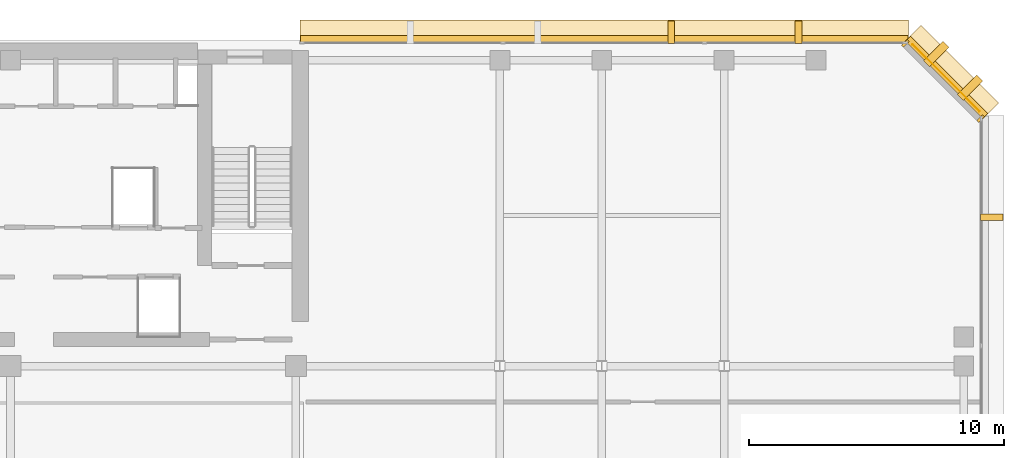
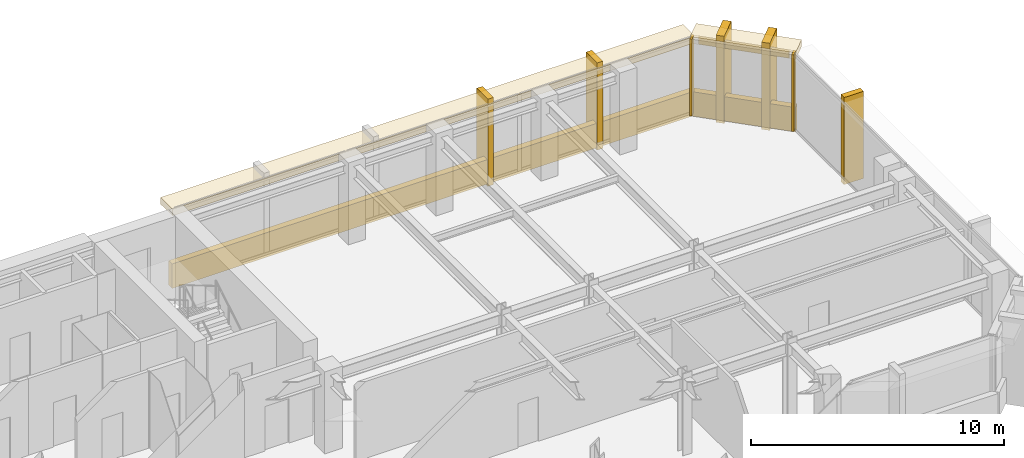
# One storey, part 12 of 12: 12 coverings.
"""IFC4 building model written with IfcOpenShell, lengths in metres."""

import ifcopenshell
import ifcopenshell.guid

model = None  # the IFC model being written
_history = None  # IfcOwnerHistory: only IFC2X3 demands one
_inside = {}  # id of a spatial element -> (the spatial element, [elements in it])
_under = {}  # id of a project, library or spatial element -> (it, [spatial elements below it])
_declared = {}  # id of a project -> (the project, [libraries it declares])
_typed = {}  # id of a type object -> (the type object, [elements of that type])
_made_of = {}  # id of a material, layer set ... -> (it, [elements and type objects made of it])


def new_model(schema):
    """Start an empty IFC model of exactly this schema.

    Asked for "IFC4X3", IfcOpenShell would pick the latest addendum, in which some entities
    have other attributes; the version numbers below select the first issue.
    IFC2X3 requires an IfcOwnerHistory on every rooted entity: one is made here for all.
    """
    global model, _history
    if schema == "IFC4X3":
        model = ifcopenshell.file(schema_version=(4, 3, 0, 0))
    else:
        model = ifcopenshell.file(schema=schema)
    _inside.clear()
    _under.clear()
    _declared.clear()
    _typed.clear()
    _made_of.clear()
    _history = None
    if model.schema == "IFC2X3":
        org = make("IfcOrganization", Name="unknown")
        user = make(
            "IfcPersonAndOrganization",
            ThePerson=make("IfcPerson", FamilyName="unknown"),
            TheOrganization=org,
        )
        app = make(
            "IfcApplication",
            ApplicationDeveloper=org,
            Version="unknown",
            ApplicationFullName="unknown",
            ApplicationIdentifier="unknown",
        )
        _history = make(
            "IfcOwnerHistory",
            OwningUser=user,
            OwningApplication=app,
            ChangeAction="ADDED",
            CreationDate=0,
        )
    return model


def make(cls, **values):
    """One entity of the class cls with the attributes given. An attribute that is None is left unset."""
    return model.create_entity(
        cls, **{name: value for name, value in values.items() if value is not None}
    )


def rooted(cls, **values):
    """An entity with a GlobalId (a new one), such as an element, a storey or a relation."""
    return make(cls, GlobalId=ifcopenshell.guid.new(), OwnerHistory=_history, **values)


def si_unit(unit_type, name, prefix=None):
    """IfcSIUnit, for example si_unit("LENGTHUNIT", "METRE", prefix="MILLI")."""
    return make("IfcSIUnit", UnitType=unit_type, Prefix=prefix, Name=name)


def assignment(units):
    """IfcUnitAssignment: the units of a project."""
    return None if units is None else make("IfcUnitAssignment", Units=units)


def point(xyz):
    """IfcCartesianPoint."""
    return None if xyz is None else make("IfcCartesianPoint", Coordinates=xyz)


def direction(xyz):
    """IfcDirection."""
    return None if xyz is None else make("IfcDirection", DirectionRatios=xyz)


def frame(location, z_axis=None, x_axis=None):
    """IfcAxis2Placement3D, a coordinate frame: its origin and axes. An axis left out is left unset."""
    return make(
        "IfcAxis2Placement3D",
        Location=point(location),
        Axis=direction(z_axis),
        RefDirection=direction(x_axis),
    )


def frame_2d(location, x_axis=None):
    """IfcAxis2Placement2D, a coordinate frame in the plane: its origin and x axis."""
    return make(
        "IfcAxis2Placement2D", Location=point(location), RefDirection=direction(x_axis)
    )


def origin():
    """The frame at (0, 0, 0) with its axes left unset."""
    return frame((0.0, 0.0, 0.0))


def origin_2d():
    """The frame at (0, 0) in the plane with its x axis left unset."""
    return frame_2d((0.0, 0.0))


def place(relative_to, where):
    """IfcLocalPlacement: puts the frame where relative to a parent placement (None: the world)."""
    return make(
        "IfcLocalPlacement", PlacementRelTo=relative_to, RelativePlacement=where
    )


def context(
    kind, dimensions, precision=None, world=None, true_north=None, identifier=None
):
    """IfcGeometricRepresentationContext, for example the 3D "Model" context."""
    return make(
        "IfcGeometricRepresentationContext",
        ContextIdentifier=identifier,
        ContextType=kind,
        CoordinateSpaceDimension=dimensions,
        Precision=precision,
        WorldCoordinateSystem=world,
        TrueNorth=true_north,
    )


def subcontext(parent, identifier, kind, view, scale=None):
    """IfcGeometricRepresentationSubContext, for example "Body" below "Model"."""
    return make(
        "IfcGeometricRepresentationSubContext",
        ContextIdentifier=identifier,
        ContextType=kind,
        ParentContext=parent,
        TargetScale=scale,
        TargetView=view,
    )


def project(units=None, contexts=None):
    """IfcProject with its units and contexts."""
    return rooted(
        "IfcProject",
        Name="project",
        RepresentationContexts=contexts,
        UnitsInContext=assignment(units),
    )


def spatial(cls, under=None, at=None, **own):
    """A site, building, storey or space (cls), placed at a placement, below another one or the project."""
    s = rooted(cls, ObjectPlacement=at, **own)
    if under is not None:
        _under.setdefault(under.id(), (under, []))[1].append(s)
    return s


def profile(cls, at=None, kind="AREA", **sizes):
    """A parametric profile (cls). Its sizes go by their IFC names, for example OverallWidth=200.0."""
    return make(cls, ProfileType=kind, Position=at, **sizes)


def rectangle(**sizes):
    """IfcRectangleProfileDef."""
    return profile("IfcRectangleProfileDef", **sizes)


def extrude(swept, where, along, depth):
    """IfcExtrudedAreaSolid: the profile swept, set in the frame where, extruded along a direction by depth."""
    return make(
        "IfcExtrudedAreaSolid",
        SweptArea=swept,
        Position=where,
        ExtrudedDirection=direction(along),
        Depth=depth,
    )


def shape(context_of_items, identifier, shape_type, items):
    """IfcShapeRepresentation: the items that make up one representation, for example the "Body"."""
    return make(
        "IfcShapeRepresentation",
        ContextOfItems=context_of_items,
        RepresentationIdentifier=identifier,
        RepresentationType=shape_type,
        Items=items,
    )


def material(Name=None, Category=None):
    """IfcMaterial."""
    return make("IfcMaterial", Name=Name, Category=Category)


def layer(
    of_material, thickness, ventilated=None, Name=None, Category=None, Priority=None
):
    """IfcMaterialLayer: one layer of a wall or slab, of a material (None: an air gap)."""
    return make(
        "IfcMaterialLayer",
        Material=of_material,
        LayerThickness=thickness,
        IsVentilated=ventilated,
        Name=Name,
        Category=Category,
        Priority=Priority,
    )


def layer_set(layers, Name=None):
    """IfcMaterialLayerSet."""
    return make("IfcMaterialLayerSet", MaterialLayers=layers, LayerSetName=Name)


def made_of(thing, what):
    """Note that an element or type object is made of a material, layer set ...; save() writes the relation."""
    if what is not None:
        _made_of.setdefault(what.id(), (what, []))[1].append(thing)
    return thing


def type_object(cls, material=None, **own):
    """A type object (cls), such as IfcWallType, which elements share."""
    return made_of(rooted(cls, **own), material)


def element(
    cls,
    number,
    at=None,
    inside=None,
    cuts=None,
    type_object=None,
    material=None,
    context=None,
    identifier="Body",
    shape_type=None,
    held_by="IfcProductDefinitionShape",
    body=None,
    shapes=None,
    **own,
):
    """One element of the class cls, such as IfcWall. Its Tag is "e" and its number.

    at: its placement. inside: the storey or other place that contains it. cuts: it is an
    opening in that element (IfcRelVoidsElement). A single representation is given by context,
    identifier, shape_type and body (its items); several are given by shapes. held_by: the class
    of the entity that holds the representations. save() writes the other relations.
    """
    e = rooted(cls, Tag="e%d" % number, ObjectPlacement=at, **own)
    if body is not None:
        shapes = [shape(context, identifier, shape_type, body)]
    if shapes is not None:
        e.Representation = make(held_by, Representations=shapes)
    if inside is not None:
        _inside.setdefault(inside.id(), (inside, []))[1].append(e)
    if cuts is not None:
        rooted(
            "IfcRelVoidsElement", RelatingBuildingElement=cuts, RelatedOpeningElement=e
        )
    if type_object is not None:
        _typed.setdefault(type_object.id(), (type_object, []))[1].append(e)
    return made_of(e, material)


def aggregate(whole, parts):
    """IfcRelAggregates: a whole, such as a stair, and the parts it consists of."""
    return rooted("IfcRelAggregates", RelatingObject=whole, RelatedObjects=parts)


def save(model, path):
    """Write the relations noted so far, then the file.

    IfcRelAggregates (storeys below a building ...), IfcRelContainedInSpatialStructure (elements
    in a storey), IfcRelDefinesByType, IfcRelAssociatesMaterial and IfcRelDeclares: one each for
    every whole, place, type object, material and project.
    """
    for whole, parts in _under.values():
        aggregate(whole, parts)
    for where, things in _inside.values():
        rooted(
            "IfcRelContainedInSpatialStructure",
            RelatedElements=things,
            RelatingStructure=where,
        )
    for kind, things in _typed.values():
        rooted("IfcRelDefinesByType", RelatedObjects=things, RelatingType=kind)
    for what, things in _made_of.values():
        rooted("IfcRelAssociatesMaterial", RelatedObjects=things, RelatingMaterial=what)
    for by, libraries in _declared.values():
        rooted("IfcRelDeclares", RelatingContext=by, RelatedDefinitions=libraries)
    model.write(path)


model = new_model("IFC4")

# Units and contexts
model_context = context("Model", 3, precision=1e-05, world=origin(), true_north=direction((0.0, 1.0)))
body_context = subcontext(model_context, "Body", "Model", "MODEL_VIEW")
ifc_project = project(units=[si_unit("LENGTHUNIT", "METRE"), si_unit("AREAUNIT", "SQUARE_METRE"), si_unit("VOLUMEUNIT", "CUBIC_METRE"), si_unit("PLANEANGLEUNIT", "RADIAN"), si_unit("MASSUNIT", "GRAM", prefix="KILO")], contexts=[model_context])

# Site, building, storey
site_placement = place(None, origin())
site = spatial("IfcSite", under=ifc_project, at=site_placement, CompositionType="ELEMENT")
building_placement = place(site_placement, origin())
building = spatial("IfcBuilding", under=site, at=building_placement, Name="Kefirva Bronze Tower", CompositionType="ELEMENT")
storey_placement = place(building_placement, frame((0.0, 0.0, 264.330078125)))
storey = spatial("IfcBuildingStorey", under=building, at=storey_placement, Name="L64", CompositionType="ELEMENT", Elevation=264.330078125)

# Coverings
ifc_material = material(Name="Bronze anodised aluminium", Category="aluminium")
ifc_layer_1 = layer(ifc_material, 0.02001953125, Name="Bronze anodised aluminium")
ifc_layer_set_1 = layer_set([ifc_layer_1], Name="Bronze anodised aluminium")
covering_type_1 = type_object("IfcCoveringType", Name="Anodised Bronze Spandrel Cladding 20mm", PredefinedType="CLADDING", material=ifc_layer_set_1)
covering_1_placement = place(storey_placement, frame((48.70703125, 44.507080078125, 3.2900390625), z_axis=(0.0, 0.0, 1.0), x_axis=(-0.707106781187, 0.707106781187, 0.0)))
element("IfcCovering", 1, at=covering_1_placement, inside=storey, type_object=covering_type_1, Name="L64 Bronze Spandrel Cladding 8", PredefinedType="CLADDING", context=body_context, shape_type="SweptSolid", body=[
    extrude(rectangle(XDim=3.719482421875, YDim=0.02001953125, at=origin_2d()), origin(), (0.0, 0.0, 1.0), 0.39990234375),
])
for number, where, z_axis, x_axis, name in (
    (2, (50.06201171875, 42.91162109375, 0.0), (0.0, 0.0, 1.0), (-0.707106781187, 0.707106781187, 0.0), "L64 Facade Joint Closure Panel 8S"),
    (3, (47.11181640625, 45.862060546875, 0.0), (0.0, 0.0, 1.0), (-0.707106781187, 0.707106781187, 0.0), "L64 Facade Joint Closure Panel 8E"),
):
    element("IfcCovering", number, at=place(storey_placement, frame(where, z_axis=z_axis, x_axis=x_axis)), inside=storey, type_object=covering_type_1, Name=name, PredefinedType="CLADDING", context=body_context, shape_type="SweptSolid", body=[
        extrude(rectangle(XDim=0.10009765625, YDim=0.320068359375, at=origin_2d()), origin(), (0.0, 0.0, 1.0), 3.7099609375),
    ])
covering_2_placement = place(storey_placement, frame((48.728271484375, 44.5283203125, -0.16015625), z_axis=(0.0, 0.0, 1.0), x_axis=(-0.707106781187, 0.707106781187, 0.0)))
element("IfcCovering", 4, at=covering_2_placement, inside=storey, type_object=covering_type_1, Name="L64 Streamline Horizontal Spandrel Band 11", PredefinedType="CLADDING", context=body_context, shape_type="SweptSolid", body=[
    extrude(rectangle(XDim=4.28271484375, YDim=0.280029296875, at=origin_2d()), origin(), (0.0, 0.0, 1.0), 1.179931640625),
])
covering_3_placement = place(storey_placement, frame((35.302490234375, 46.0400390625, -0.16015625), z_axis=(0.0, 0.0, 1.0), x_axis=(-1.0, 0.0, 0.0)))
element("IfcCovering", 5, at=covering_3_placement, inside=storey, type_object=covering_type_1, Name="L64 Streamline Horizontal Spandrel Band 12", PredefinedType="CLADDING", context=body_context, shape_type="SweptSolid", body=[
    extrude(rectangle(XDim=23.8349609375, YDim=0.280029296875, at=origin_2d()), origin(), (0.0, 0.0, 1.0), 1.179931640625),
])
ifc_layer_2 = layer(ifc_material, 0.179931640625, Name="Bronze anodised aluminium")
ifc_layer_set_2 = layer_set([ifc_layer_2], Name="Bronze anodised aluminium")
covering_type_2 = type_object("IfcCoveringType", Name="Streamline Bronze Sunshade Eyebrow Cladding 180mm", PredefinedType="CLADDING", material=ifc_layer_set_2)
covering_4_placement = place(storey_placement, frame((48.919189453125, 44.71923828125, 3.3896484375), z_axis=(0.0, 0.0, 1.0), x_axis=(-0.707106781187, 0.707106781187, 0.0)))
element("IfcCovering", 6, at=covering_4_placement, inside=storey, type_object=covering_type_2, Name="L64 Streamline Bronze Sunshade Eyebrow 11", PredefinedType="CLADDING", context=body_context, shape_type="SweptSolid", body=[
    extrude(rectangle(XDim=4.322509765625, YDim=0.93994140625, at=origin_2d()), origin(), (0.0, 0.0, 1.0), 0.320068359375),
])
covering_5_placement = place(storey_placement, frame((35.302490234375, 46.31005859375, 3.3896484375), z_axis=(0.0, 0.0, 1.0), x_axis=(-1.0, 0.0, 0.0)))
element("IfcCovering", 7, at=covering_5_placement, inside=storey, type_object=covering_type_2, Name="L64 Streamline Bronze Sunshade Eyebrow 12", PredefinedType="CLADDING", context=body_context, shape_type="SweptSolid", body=[
    extrude(rectangle(XDim=23.875, YDim=0.93994140625, at=origin_2d()), origin(), (0.0, 0.0, 1.0), 0.320068359375),
])
ifc_layer_3 = layer(ifc_material, 0.260009765625, Name="Bronze anodised aluminium")
ifc_layer_set_3 = layer_set([ifc_layer_3], Name="Bronze anodised aluminium")
covering_type_3 = type_object("IfcCoveringType", Name="Unbroken Bronze Buttress Fin Cladding 260mm", PredefinedType="CLADDING", material=ifc_layer_set_3)
covering_6_placement = place(storey_placement, frame((50.5, 39.0400390625, -0.25), z_axis=(0.0, 0.0, 1.0), x_axis=(0.0, 1.0, 0.0)))
element("IfcCovering", 8, at=covering_6_placement, inside=storey, type_object=covering_type_3, Name="L64 Unbroken Vertical Bronze Rib Fin 14", PredefinedType="CLADDING", context=body_context, shape_type="SweptSolid", body=[
    extrude(rectangle(XDim=0.260009765625, YDim=0.8798828125, at=origin_2d()), origin(), (0.0, 0.0, 1.0), 4.2099609375),
])
for number, where, z_axis, x_axis, name in (
    (9, (49.642822265625, 44.122802734375, -0.25), (0.0, 0.0, 1.0), (-0.707106781187, 0.707106781187, 0.0), "L64 Chamfered Corner Buttress Fin Cladding 15"),
    (10, (48.32275390625, 45.44287109375, -0.25), (0.0, 0.0, 1.0), (-0.707106781187, 0.707106781187, 0.0), "L64 Chamfered Corner Buttress Fin Cladding 16"),
):
    element("IfcCovering", number, at=place(storey_placement, frame(where, z_axis=z_axis, x_axis=x_axis)), inside=storey, type_object=covering_type_3, Name=name, PredefinedType="CLADDING", context=body_context, shape_type="SweptSolid", body=[
        extrude(rectangle(XDim=0.340087890625, YDim=1.080078125, at=origin_2d()), origin(), (0.0, 0.0, 1.0), 4.2099609375),
    ])
for number, where, z_axis, x_axis, name in (
    (11, (42.9169921875, 46.300048828125, -0.25), (0.0, 0.0, 1.0), (-1.0, 0.0, 0.0), "L64 Unbroken Vertical Bronze Rib Fin 17"),
    (12, (37.919921875, 46.300048828125, -0.25), (0.0, 0.0, 1.0), (-1.0, 0.0, 0.0), "L64 Unbroken Vertical Bronze Rib Fin 18"),
):
    element("IfcCovering", number, at=place(storey_placement, frame(where, z_axis=z_axis, x_axis=x_axis)), inside=storey, type_object=covering_type_3, Name=name, PredefinedType="CLADDING", context=body_context, shape_type="SweptSolid", body=[
        extrude(rectangle(XDim=0.260009765625, YDim=0.8798828125, at=origin_2d()), origin(), (0.0, 0.0, 1.0), 4.2099609375),
    ])

save(model, "model.ifc")
